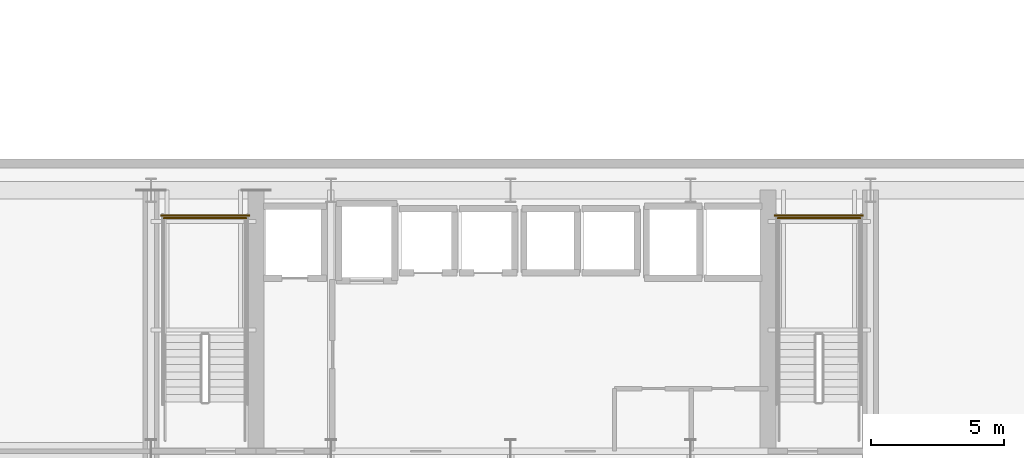
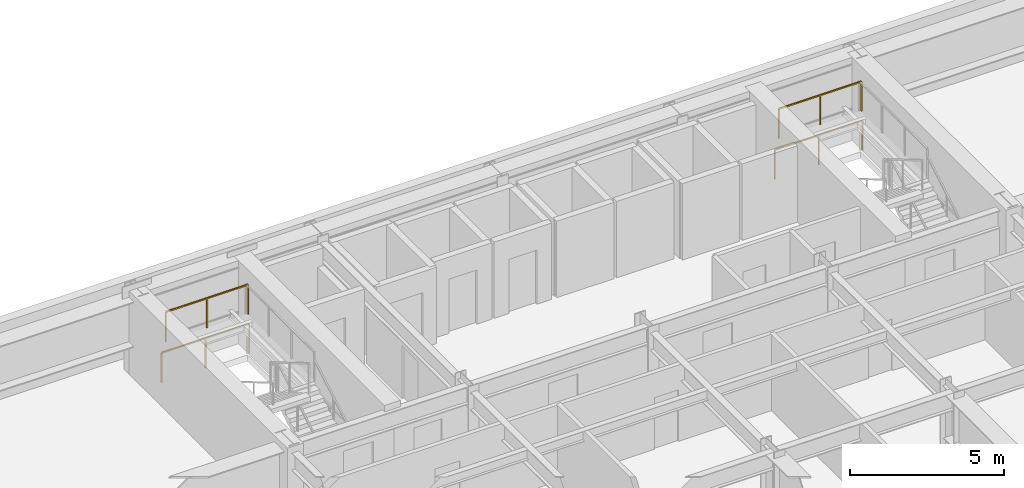
# One storey, part 15 of 18: 4 railings.
"""IFC4 building model written with IfcOpenShell, lengths in metres."""

from ifc_helpers import new_model, si_unit, direction, frame, origin, origin_2d, place, context, subcontext, project, spatial, rectangle, extrude, material, type_object, element, save


model = new_model("IFC4")

# Units and contexts
model_context = context("Model", 3, precision=1e-05, world=origin(), true_north=direction((0.0, 1.0)))
body_context = subcontext(model_context, "Body", "Model", "MODEL_VIEW")
ifc_project = project(units=[si_unit("LENGTHUNIT", "METRE"), si_unit("AREAUNIT", "SQUARE_METRE"), si_unit("VOLUMEUNIT", "CUBIC_METRE"), si_unit("PLANEANGLEUNIT", "RADIAN"), si_unit("MASSUNIT", "GRAM", prefix="KILO")], contexts=[model_context])

# Site, building, storey
site_placement = place(None, origin())
site = spatial("IfcSite", under=ifc_project, at=site_placement, CompositionType="ELEMENT")
building_placement = place(site_placement, origin())
building = spatial("IfcBuilding", under=site, at=building_placement, Name="Haevon Station Towers", CompositionType="ELEMENT")
storey_placement = place(building_placement, frame((0.0, 0.0, 66.89990234375)))
storey = spatial("IfcBuildingStorey", under=building, at=storey_placement, Name="L17", CompositionType="ELEMENT", Elevation=66.89990234375)

# Railings
ifc_material = material(Name="Steel S355", Category="steel")
railing_type = type_object("IfcRailingType", Name="GRD-STR1200", PredefinedType="GUARDRAIL", material=ifc_material)
railing_1_placement = place(storey_placement, frame((27.580078125, 46.949951171875, 1.650146484375)))
element("IfcRailing", 1, at=railing_1_placement, inside=storey, type_object=railing_type, Name="L17 ST1 Stair Guard 5", PredefinedType="GUARDRAIL", context=body_context, shape_type="SweptSolid", body=[
    extrude(rectangle(XDim=0.048095703125, YDim=0.048095703125, at=origin_2d()), frame((0.0, 0.0, 1.17578125), z_axis=(-1.0, 0.0, 0.0), x_axis=(0.0, -1.0, 0.0)), (0.0, 0.0, 1.0), 3.10009765625),
    extrude(rectangle(XDim=0.0419921875, YDim=0.0419921875, at=origin_2d()), origin(), (0.0, 0.0, 1.0), 1.15185546875),
    extrude(rectangle(XDim=0.0419921875, YDim=0.0419921875, at=origin_2d()), frame((-1.550048828125, 0.0, 0.0)), (0.0, 0.0, 1.0), 1.15185546875),
    extrude(rectangle(XDim=0.0419921875, YDim=0.0419921875, at=origin_2d()), frame((-3.10009765625, 0.0, 0.0)), (0.0, 0.0, 1.0), 1.15185546875),
])
railing_2_placement = place(storey_placement, frame((27.679931640625, 47.050048828125, 0.0)))
element("IfcRailing", 2, at=railing_2_placement, inside=storey, type_object=railing_type, Name="L17 ST1 Stair Guard 12", PredefinedType="GUARDRAIL", context=body_context, shape_type="SweptSolid", body=[
    extrude(rectangle(XDim=0.048095703125, YDim=0.048095703125, at=origin_2d()), frame((0.0, 0.0, 1.17578125), z_axis=(-1.0, 0.0, 0.0), x_axis=(0.0, -1.0, 0.0)), (0.0, 0.0, 1.0), 3.300048828125),
    extrude(rectangle(XDim=0.0419921875, YDim=0.0419921875, at=origin_2d()), origin(), (0.0, 0.0, 1.0), 1.15185546875),
    extrude(rectangle(XDim=0.0419921875, YDim=0.0419921875, at=origin_2d()), frame((-1.64990234375, 0.0, 0.0)), (0.0, 0.0, 1.0), 1.15185546875),
    extrude(rectangle(XDim=0.0419921875, YDim=0.0419921875, at=origin_2d()), frame((-3.300048828125, 0.0, 0.0)), (0.0, 0.0, 1.0), 1.15185546875),
])
railing_3_placement = place(storey_placement, frame((50.6201171875, 46.949951171875, 1.650146484375)))
element("IfcRailing", 3, at=railing_3_placement, inside=storey, type_object=railing_type, Name="L17 ST2 Stair Guard 5", PredefinedType="GUARDRAIL", context=body_context, shape_type="SweptSolid", body=[
    extrude(rectangle(XDim=0.048095703125, YDim=0.048095703125, at=origin_2d()), frame((0.0, 0.0, 1.17578125), z_axis=(-1.0, 0.0, 0.0), x_axis=(0.0, -1.0, 0.0)), (0.0, 0.0, 1.0), 3.10009765625),
    extrude(rectangle(XDim=0.0419921875, YDim=0.0419921875, at=origin_2d()), origin(), (0.0, 0.0, 1.0), 1.15185546875),
    extrude(rectangle(XDim=0.0419921875, YDim=0.0419921875, at=origin_2d()), frame((-1.550048828125, 0.0, 0.0)), (0.0, 0.0, 1.0), 1.15185546875),
    extrude(rectangle(XDim=0.0419921875, YDim=0.0419921875, at=origin_2d()), frame((-3.10009765625, 0.0, 0.0)), (0.0, 0.0, 1.0), 1.15185546875),
])
railing_4_placement = place(storey_placement, frame((50.719970703125, 47.050048828125, 0.0)))
element("IfcRailing", 4, at=railing_4_placement, inside=storey, type_object=railing_type, Name="L17 ST2 Stair Guard 12", PredefinedType="GUARDRAIL", context=body_context, shape_type="SweptSolid", body=[
    extrude(rectangle(XDim=0.048095703125, YDim=0.048095703125, at=origin_2d()), frame((0.0, 0.0, 1.17578125), z_axis=(-1.0, 0.0, 0.0), x_axis=(0.0, -1.0, 0.0)), (0.0, 0.0, 1.0), 3.300048828125),
    extrude(rectangle(XDim=0.0419921875, YDim=0.0419921875, at=origin_2d()), origin(), (0.0, 0.0, 1.0), 1.15185546875),
    extrude(rectangle(XDim=0.0419921875, YDim=0.0419921875, at=origin_2d()), frame((-1.64990234375, 0.0, 0.0)), (0.0, 0.0, 1.0), 1.15185546875),
    extrude(rectangle(XDim=0.0419921875, YDim=0.0419921875, at=origin_2d()), frame((-3.300048828125, 0.0, 0.0)), (0.0, 0.0, 1.0), 1.15185546875),
])

save(model, "model.ifc")
